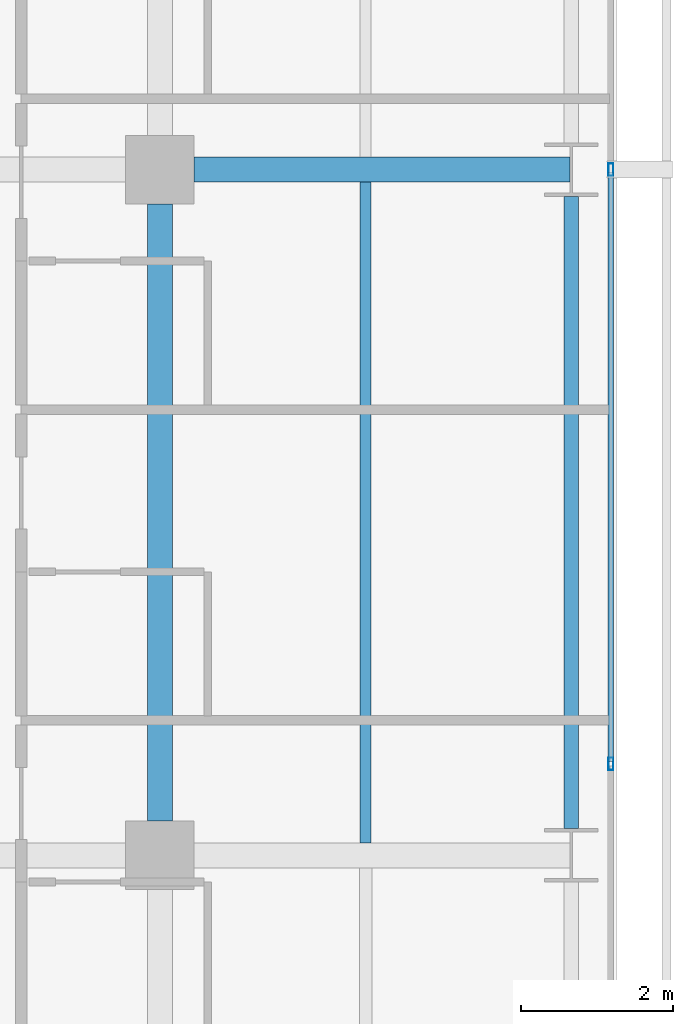
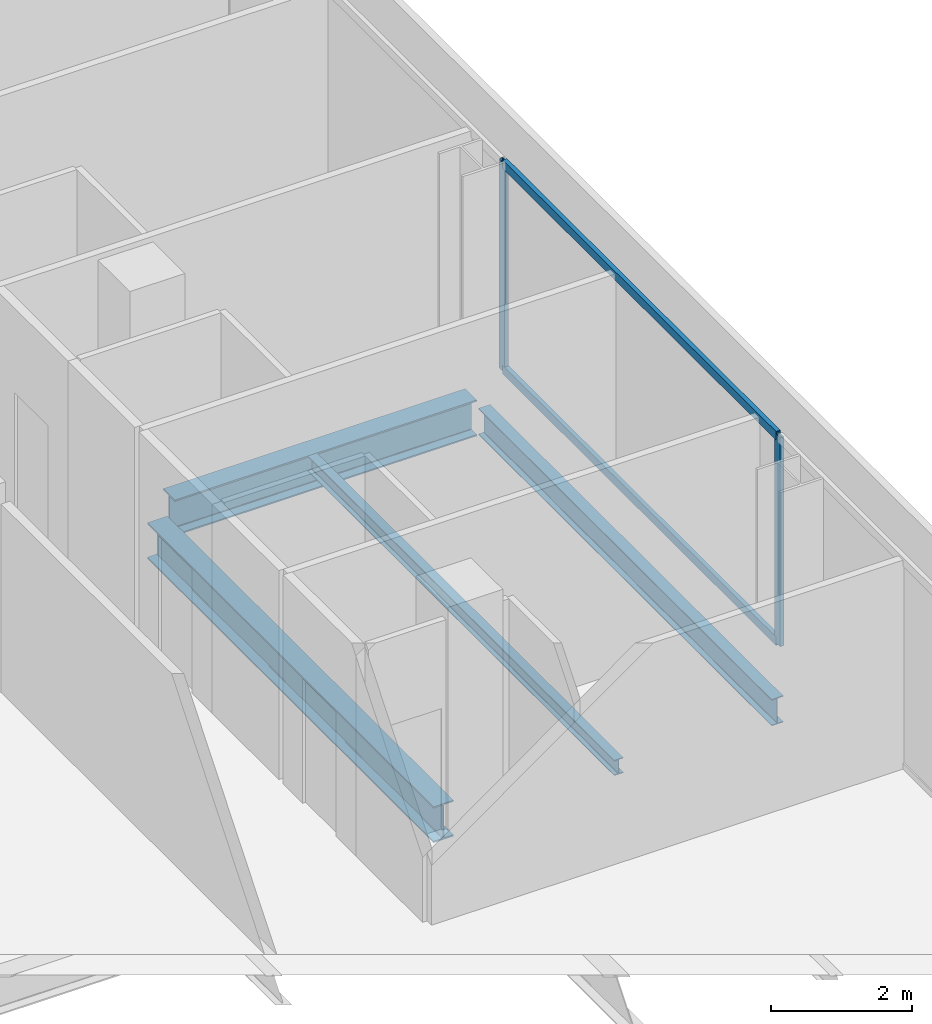
# One storey, part 19 of 41: 4 beams, 4 members, 1 element without a shape of its own.
"""IFC4 building model written with IfcOpenShell, lengths in metres."""

from ifc_helpers import new_model, si_unit, direction, frame, origin, origin_2d, place, context, subcontext, project, spatial, hollow_rectangle, i_section, extrude, material, layer, layer_set, material_profile, profile_set, type_object, element, aggregate, save


model = new_model("IFC4")

# Units and contexts
model_context = context("Model", 3, precision=1e-05, world=origin(), true_north=direction((0.0, 1.0)))
body_context = subcontext(model_context, "Body", "Model", "MODEL_VIEW")
ifc_project = project(units=[si_unit("LENGTHUNIT", "METRE"), si_unit("AREAUNIT", "SQUARE_METRE"), si_unit("VOLUMEUNIT", "CUBIC_METRE"), si_unit("PLANEANGLEUNIT", "RADIAN"), si_unit("MASSUNIT", "GRAM", prefix="KILO")], contexts=[model_context])

# Site, building, storey
site_placement = place(None, origin())
site = spatial("IfcSite", under=ifc_project, at=site_placement, CompositionType="ELEMENT")
building_placement = place(site_placement, origin())
building = spatial("IfcBuilding", under=site, at=building_placement, Name="Maruvema Waterfront Hotel and Observation Tower", CompositionType="ELEMENT")
storey_placement = place(building_placement, frame((0.0, 0.0, 61.60009765625)))
storey = spatial("IfcBuildingStorey", under=building, at=storey_placement, Name="L14", CompositionType="ELEMENT", Elevation=61.60009765625)

# Curtain wall, members
ifc_material_1 = material(Name="Anodised bronze aluminium and solar-control low-E IGU", Category="aluminium")
ifc_layer = layer(ifc_material_1, 0.159912109375, Name="Zone 1 Bronze Inner Thermal Curtain Wall System CW-02")
ifc_layer_set = layer_set([ifc_layer], Name="Anodised bronze aluminium and solar-control low-E IGU")
curtain_wall_type = type_object("IfcCurtainWallType", Name="Zone 1 Bronze Inner Thermal Curtain Wall System CW-02", PredefinedType="USERDEFINED", material=ifc_layer_set)
curtain_wall_placement = place(storey_placement, origin())
curtain_wall = element("IfcCurtainWall", 1, at=curtain_wall_placement, inside=storey, type_object=curtain_wall_type, Name="L14 Curtain Wall CW-L14-E", ObjectType="UNITISED CURTAIN WALL", PredefinedType="USERDEFINED")
ifc_material_2 = material(Name="Anodised architectural bronze aluminium", Category="aluminium")
ifc_material_profile_1 = material_profile(ifc_material_2, hollow_rectangle(XDim=0.070068359375, YDim=0.14990234375, WallThickness=0.00390625, at=origin_2d()), Name="ALU-T70x150")
ifc_profile_set_1 = profile_set([ifc_material_profile_1], Name="Anodised architectural bronze aluminium")
member_type_1 = type_object("IfcMemberType", Name="Curtain Wall Horizontal Transom ALU-T70x150", PredefinedType="USERDEFINED", material=ifc_profile_set_1)
member_1_placement = place(storey_placement, frame((64.719970703125, 19.22998046875, 0.02978515625), z_axis=(0.0, 1.0, 0.0), x_axis=(-1.0, 0.0, 0.0)))
member_1 = element("IfcMember", 2, at=member_1_placement, type_object=member_type_1, Name="CW-02 transom 3.1", ObjectType="TRANSOM", PredefinedType="USERDEFINED", context=body_context, shape_type="SweptSolid", body=[
    extrude(hollow_rectangle(XDim=0.070068359375, YDim=0.14990234375, WallThickness=0.00390625, at=origin_2d()), origin(), (0.0, 0.0, 1.0), 7.739990234375),
])
member_2_placement = place(storey_placement, frame((64.719970703125, 19.22998046875, 3.579833984375), z_axis=(0.0, 1.0, 0.0), x_axis=(-1.0, 0.0, 0.0)))
member_2 = element("IfcMember", 3, at=member_2_placement, type_object=member_type_1, Name="CW-02 transom 3.2", ObjectType="TRANSOM", PredefinedType="USERDEFINED", context=body_context, shape_type="SweptSolid", body=[
    extrude(hollow_rectangle(XDim=0.070068359375, YDim=0.14990234375, WallThickness=0.00390625, at=origin_2d()), origin(), (0.0, 0.0, 1.0), 7.739990234375),
])
ifc_material_3 = material(Name="Anodised architectural bronze aluminium", Category="aluminium")
ifc_material_profile_2 = material_profile(ifc_material_3, hollow_rectangle(XDim=0.06494140625, YDim=0.1650390625, WallThickness=0.00390625, at=origin_2d()), Name="ALU-M65x165")
ifc_profile_set_2 = profile_set([ifc_material_profile_2], Name="Anodised architectural bronze aluminium")
member_type_2 = type_object("IfcMemberType", Name="Curtain Wall Primary Mullion ALU-M65x165", PredefinedType="MULLION", material=ifc_profile_set_2)
member_3_placement = place(storey_placement, frame((64.719970703125, 19.199951171875, 0.0), z_axis=(0.0, 0.0, 1.0), x_axis=(-1.0, 0.0, 0.0)))
member_3 = element("IfcMember", 4, at=member_3_placement, type_object=member_type_2, Name="CW-02 mullion 3", PredefinedType="MULLION", context=body_context, shape_type="SweptSolid", body=[
    extrude(hollow_rectangle(XDim=0.06494140625, YDim=0.1650390625, WallThickness=0.00390625, at=origin_2d()), origin(), (0.0, 0.0, 1.0), 3.60986328125),
])
member_4_placement = place(storey_placement, frame((64.719970703125, 27.0, 0.0), z_axis=(0.0, 0.0, 1.0), x_axis=(-1.0, 0.0, 0.0)))
member_4 = element("IfcMember", 5, at=member_4_placement, type_object=member_type_2, Name="CW-02 mullion 4", PredefinedType="MULLION", context=body_context, shape_type="SweptSolid", body=[
    extrude(hollow_rectangle(XDim=0.06494140625, YDim=0.1650390625, WallThickness=0.00390625, at=origin_2d()), origin(), (0.0, 0.0, 1.0), 3.60986328125),
])
aggregate(curtain_wall, [member_3, member_4, member_1, member_2])

# Beams
ifc_material_4 = material(Name="Steel ASTM A572 Grade 50", Category="steel")
ifc_material_profile_3 = material_profile(ifc_material_4, i_section(OverallWidth=0.18994140625, OverallDepth=0.45703125, WebThickness=0.009033203125, FlangeThickness=0.014404296875, FilletRadius=0.014892578125, at=origin_2d()), Name="W460x74.0")
ifc_profile_set_3 = profile_set([ifc_material_profile_3], Name="Steel ASTM A572 Grade 50")
beam_type_1 = type_object("IfcBeamType", Name="Perimeter Spandrel Beam W460x74.0", PredefinedType="SPANDREL", material=ifc_profile_set_3)
beam_1_placement = place(storey_placement, frame((64.199951171875, 18.35009765625, -0.468505859375), z_axis=(0.0, 1.0, 0.0), x_axis=(-1.0, 0.0, 0.0)))
element("IfcBeam", 6, at=beam_1_placement, inside=storey, type_object=beam_type_1, Name="L14 Floor Girder NS-34", PredefinedType="SPANDREL", context=body_context, shape_type="SweptSolid", body=[
    extrude(i_section(OverallWidth=0.18994140625, OverallDepth=0.45703125, WebThickness=0.009033203125, FlangeThickness=0.014404296875, FilletRadius=0.014892578125, at=origin_2d()), origin(), (0.0, 0.0, 1.0), 8.2998046875),
])
ifc_material_5 = material(Name="Steel ASTM A572 Grade 50", Category="steel")
ifc_material_profile_4 = material_profile(ifc_material_5, i_section(OverallWidth=0.326904296875, OverallDepth=0.6220703125, WebThickness=0.015380859375, FlangeThickness=0.0244140625, FilletRadius=0.01806640625, at=origin_2d()), Name="W610x195.0")
ifc_profile_set_4 = profile_set([ifc_material_profile_4], Name="Steel ASTM A572 Grade 50")
beam_type_2 = type_object("IfcBeamType", Name="Primary Floor Girder W610x195.0", PredefinedType="BEAM", material=ifc_profile_set_4)
beam_2_placement = place(storey_placement, frame((59.25, 27.0, -0.551025390625), z_axis=(1.0, 0.0, 0.0), x_axis=(0.0, 1.0, 0.0)))
element("IfcBeam", 7, at=beam_2_placement, inside=storey, type_object=beam_type_2, Name="L14 Floor Girder EW-24", PredefinedType="BEAM", context=body_context, shape_type="SweptSolid", body=[
    extrude(i_section(OverallWidth=0.326904296875, OverallDepth=0.6220703125, WebThickness=0.015380859375, FlangeThickness=0.0244140625, FilletRadius=0.01806640625, at=origin_2d()), origin(), (0.0, 0.0, 1.0), 4.93603515625),
])
beam_3_placement = place(storey_placement, frame((58.800048828125, 18.449951171875, -0.551025390625), z_axis=(0.0, 1.0, 0.0), x_axis=(-1.0, 0.0, 0.0)))
element("IfcBeam", 8, at=beam_3_placement, inside=storey, type_object=beam_type_2, Name="L14 Floor Girder NS-29", PredefinedType="BEAM", context=body_context, shape_type="SweptSolid", body=[
    extrude(i_section(OverallWidth=0.326904296875, OverallDepth=0.6220703125, WebThickness=0.015380859375, FlangeThickness=0.0244140625, FilletRadius=0.01806640625, at=origin_2d()), origin(), (0.0, 0.0, 1.0), 8.10009765625),
])
ifc_material_6 = material(Name="Steel ASTM A572 Grade 50", Category="steel")
ifc_material_profile_5 = material_profile(ifc_material_6, i_section(OverallWidth=0.14794921875, OverallDepth=0.26611328125, WebThickness=0.007568359375, FlangeThickness=0.012939453125, FilletRadius=0.012939453125, at=origin_2d()), Name="W250x44.8")
ifc_profile_set_5 = profile_set([ifc_material_profile_5], Name="Steel ASTM A572 Grade 50")
beam_type_3 = type_object("IfcBeamType", Name="Secondary Floor Joist W250x44.8", PredefinedType="JOIST", material=ifc_profile_set_5)
beam_4_placement = place(storey_placement, frame((61.5, 18.16357421875, -0.373046875), z_axis=(0.0, 1.0, 0.0), x_axis=(-1.0, 0.0, 0.0)))
element("IfcBeam", 9, at=beam_4_placement, inside=storey, type_object=beam_type_3, Name="L14 Secondary Floor Joist JS-22", PredefinedType="JOIST", context=body_context, shape_type="SweptSolid", body=[
    extrude(i_section(OverallWidth=0.14794921875, OverallDepth=0.26611328125, WebThickness=0.007568359375, FlangeThickness=0.012939453125, FilletRadius=0.012939453125, at=origin_2d()), origin(), (0.0, 0.0, 1.0), 8.6728515625),
])

save(model, "model.ifc")
